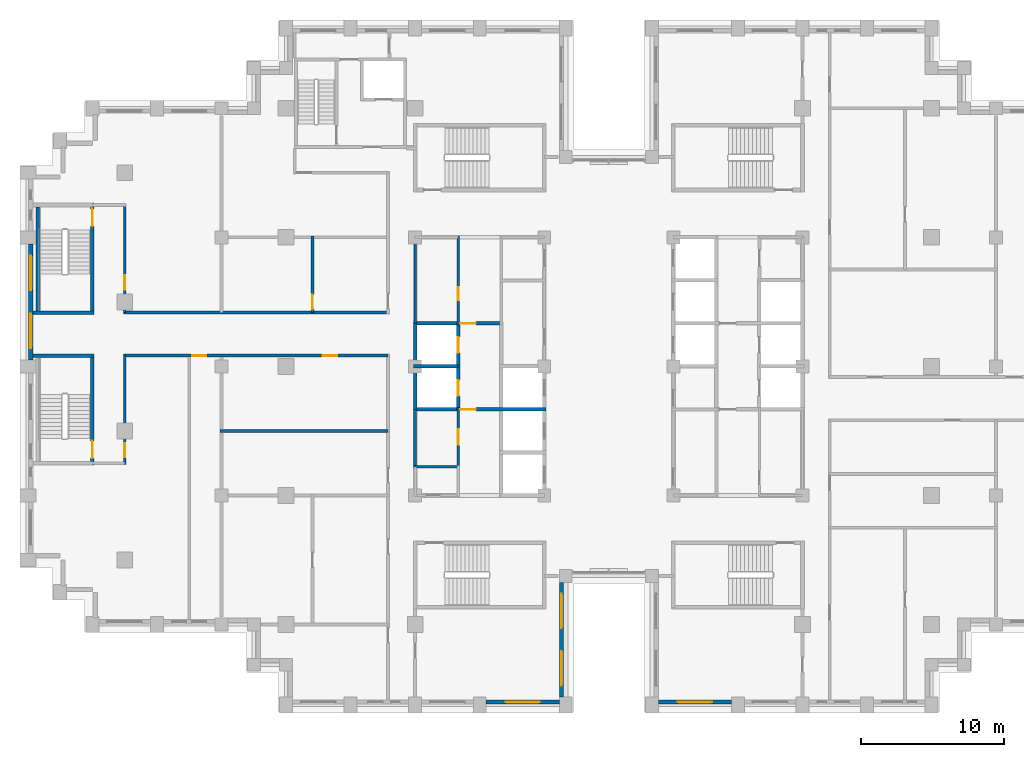
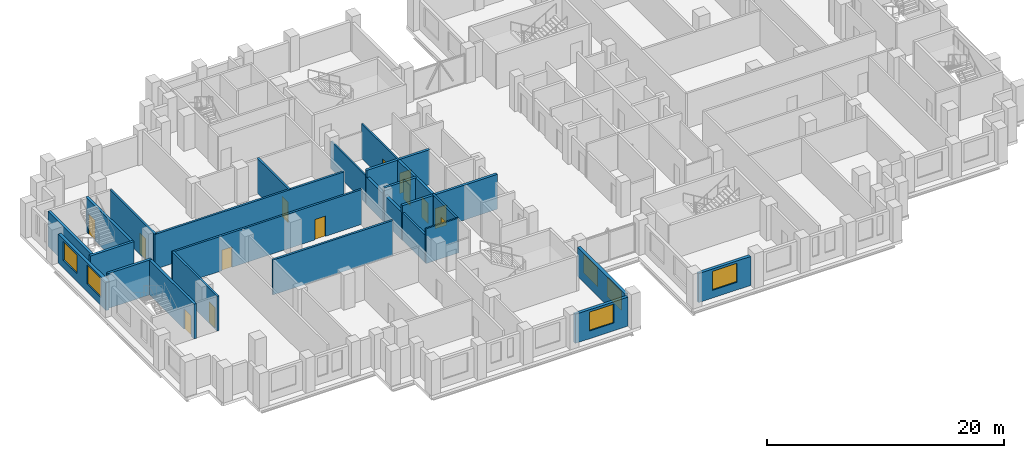
# One storey, part 7 of 16: 25 walls, 13 doors, 6 windows, 19 openings.
"""IFC4 building model written with IfcOpenShell, lengths in metres."""

from ifc_helpers import new_model, si_unit, direction, frame, frame_2d, origin, place, context, subcontext, project, spatial, rectangle, extrude, material, layer, layer_set, type_object, element, fill, save


model = new_model("IFC4")

# Units and contexts
model_context = context("Model", 3, precision=1e-05, world=origin(), true_north=direction((0.0, 1.0)))
body_context = subcontext(model_context, "Body", "Model", "MODEL_VIEW")
ifc_project = project(units=[si_unit("LENGTHUNIT", "METRE"), si_unit("AREAUNIT", "SQUARE_METRE"), si_unit("VOLUMEUNIT", "CUBIC_METRE"), si_unit("PLANEANGLEUNIT", "RADIAN"), si_unit("MASSUNIT", "GRAM", prefix="KILO")], contexts=[model_context])

# Site, building, storey
site_placement = place(None, origin())
site = spatial("IfcSite", under=ifc_project, at=site_placement, CompositionType="ELEMENT")
building_placement = place(site_placement, origin())
building = spatial("IfcBuilding", under=site, at=building_placement, Name="Corbelhall Arena Tower", CompositionType="ELEMENT")
storey_placement = place(building_placement, frame((0.0, 0.0, 174.0)))
storey = spatial("IfcBuildingStorey", under=building, at=storey_placement, Name="L35", CompositionType="ELEMENT", Elevation=174.0)

# Wall, openings, windows
ifc_material_1 = material(Name="Precast concrete C40/50 with granite facing", Category="masonry")
ifc_layer_1 = layer(ifc_material_1, 0.300048828125)
ifc_layer_set_1 = layer_set([ifc_layer_1], Name="EV-IW1 Infill panel 300")
wall_type_1 = type_object("IfcWallType", Name="EV-IW1 Infill panel 300", PredefinedType="SOLIDWALL", material=ifc_layer_set_1)
wall_1_placement = place(storey_placement, frame((-40.300048828125, 8.550048828125, 0.0), z_axis=(0.0, 0.0, 1.0), x_axis=(0.0, -1.0, 0.0)))
wall_1 = element("IfcWall", 1, at=wall_1_placement, inside=storey, type_object=wall_type_1, Name="Infill panel IW1", PredefinedType="SOLIDWALL", context=body_context, shape_type="SweptSolid", body=[
    extrude(rectangle(XDim=8.10009765625, YDim=0.300048828125, at=frame_2d((4.050048828125, 0.0))), origin(), (0.0, 0.0, 1.0), 2.989990234375),
])
opening_1_placement = place(wall_1_placement, frame((0.824951171875, 0.0, 0.800048828125)))
opening_1 = element("IfcOpeningElement", 2, at=opening_1_placement, cuts=wall_1, Name="Opening WN1", PredefinedType="OPENING", context=body_context, shape_type="SweptSolid", body=[
    extrude(rectangle(XDim=2.39990234375, YDim=1.949951171875, at=frame_2d((1.199951171875, 0.97509765625))), frame((0.0, 0.14990234375, 0.0), z_axis=(0.0, -1.0, 0.0), x_axis=(1.0, 0.0, 0.0)), (0.0, 0.0, 1.0), 0.300048828125),
])
opening_2_placement = place(wall_1_placement, frame((4.875, 0.0, 0.800048828125)))
opening_2 = element("IfcOpeningElement", 3, at=opening_2_placement, cuts=wall_1, Name="Opening WN1", PredefinedType="OPENING", context=body_context, shape_type="SweptSolid", body=[
    extrude(rectangle(XDim=2.39990234375, YDim=1.949951171875, at=frame_2d((1.199951171875, 0.97509765625))), frame((0.0, 0.14990234375, 0.0), z_axis=(0.0, -1.0, 0.0), x_axis=(1.0, 0.0, 0.0)), (0.0, 0.0, 1.0), 0.300048828125),
])
ifc_material_2 = material(Name="Aluminium black anodised", Category="aluminium")
window_type = type_object("IfcWindowType", Name="EV-WN1 Office window", PartitioningType="SINGLE_PANEL", PredefinedType="WINDOW", material=ifc_material_2)
window_1_placement = place(opening_1_placement, origin())
window_1 = element("IfcWindow", 4, at=window_1_placement, inside=storey, type_object=window_type, Name="Window WN1", OverallHeight=1.949951171875, OverallWidth=2.39990234375, PartitioningType="SINGLE_PANEL", PredefinedType="WINDOW", context=body_context, shape_type="SweptSolid", body=[
    extrude(rectangle(XDim=2.39990234375, YDim=1.949951171875, at=frame_2d((1.199951171875, 0.97509765625))), frame((0.0, 0.030029296875, 0.0), z_axis=(0.0, -1.0, 0.0), x_axis=(1.0, 0.0, 0.0)), (0.0, 0.0, 1.0), 0.06005859375),
])
fill(opening_1, window_1)
window_2_placement = place(opening_2_placement, origin())
window_2 = element("IfcWindow", 5, at=window_2_placement, inside=storey, type_object=window_type, Name="Window WN1", OverallHeight=1.949951171875, OverallWidth=2.39990234375, PartitioningType="SINGLE_PANEL", PredefinedType="WINDOW", context=body_context, shape_type="SweptSolid", body=[
    extrude(rectangle(XDim=2.39990234375, YDim=1.949951171875, at=frame_2d((1.199951171875, 0.97509765625))), frame((0.0, 0.030029296875, 0.0), z_axis=(0.0, -1.0, 0.0), x_axis=(1.0, 0.0, 0.0)), (0.0, 0.0, 1.0), 0.06005859375),
])
fill(opening_2, window_2)

# Wall, opening, window
wall_2_placement = place(storey_placement, frame((-8.550048828125, -23.39990234375, 0.0), z_axis=(0.0, 0.0, 1.0), x_axis=(1.0, 0.0, 0.0)))
wall_2 = element("IfcWall", 6, at=wall_2_placement, inside=storey, type_object=wall_type_1, Name="Infill panel IW1", PredefinedType="SOLIDWALL", context=body_context, shape_type="SweptSolid", body=[
    extrude(rectangle(XDim=5.10009765625, YDim=0.300048828125, at=frame_2d((2.550048828125, 0.0))), origin(), (0.0, 0.0, 1.0), 2.989990234375),
])
opening_3_placement = place(wall_2_placement, frame((1.35009765625, 0.0, 0.800048828125)))
opening_3 = element("IfcOpeningElement", 7, at=opening_3_placement, cuts=wall_2, Name="Opening WN1", PredefinedType="OPENING", context=body_context, shape_type="SweptSolid", body=[
    extrude(rectangle(XDim=2.39990234375, YDim=1.949951171875, at=frame_2d((1.199951171875, 0.97509765625))), frame((0.0, 0.14990234375, 0.0), z_axis=(0.0, -1.0, 0.0), x_axis=(1.0, 0.0, 0.0)), (0.0, 0.0, 1.0), 0.300048828125),
])
window_3_placement = place(opening_3_placement, origin())
window_3 = element("IfcWindow", 8, at=window_3_placement, inside=storey, type_object=window_type, Name="Window WN1", OverallHeight=1.949951171875, OverallWidth=2.39990234375, PartitioningType="SINGLE_PANEL", PredefinedType="WINDOW", context=body_context, shape_type="SweptSolid", body=[
    extrude(rectangle(XDim=2.39990234375, YDim=1.949951171875, at=frame_2d((1.199951171875, 0.97509765625))), frame((0.0, 0.030029296875, 0.0), z_axis=(0.0, -1.0, 0.0), x_axis=(1.0, 0.0, 0.0)), (0.0, 0.0, 1.0), 0.06005859375),
])
fill(opening_3, window_3)

# Wall, openings, windows
wall_3_placement = place(storey_placement, frame((-3.300048828125, -23.050048828125, 0.0), z_axis=(0.0, 0.0, 1.0), x_axis=(0.0, 1.0, 0.0)))
wall_3 = element("IfcWall", 9, at=wall_3_placement, inside=storey, type_object=wall_type_1, Name="Infill panel IW1", PredefinedType="SOLIDWALL", context=body_context, shape_type="SweptSolid", body=[
    extrude(rectangle(XDim=8.0, YDim=0.300048828125, at=frame_2d((4.0, 0.0))), origin(), (0.0, 0.0, 1.0), 2.989990234375),
])
opening_4_placement = place(wall_3_placement, frame((0.800048828125, 0.0, 0.800048828125)))
opening_4 = element("IfcOpeningElement", 10, at=opening_4_placement, cuts=wall_3, Name="Opening WN1", PredefinedType="OPENING", context=body_context, shape_type="SweptSolid", body=[
    extrude(rectangle(XDim=2.39990234375, YDim=1.949951171875, at=frame_2d((1.199951171875, 0.97509765625))), frame((0.0, 0.14990234375, 0.0), z_axis=(0.0, -1.0, 0.0), x_axis=(1.0, 0.0, 0.0)), (0.0, 0.0, 1.0), 0.300048828125),
])
opening_5_placement = place(wall_3_placement, frame((4.800048828125, 0.0, 0.800048828125)))
opening_5 = element("IfcOpeningElement", 11, at=opening_5_placement, cuts=wall_3, Name="Opening WN1", PredefinedType="OPENING", context=body_context, shape_type="SweptSolid", body=[
    extrude(rectangle(XDim=2.39990234375, YDim=1.949951171875, at=frame_2d((1.199951171875, 0.97509765625))), frame((0.0, 0.14990234375, 0.0), z_axis=(0.0, -1.0, 0.0), x_axis=(1.0, 0.0, 0.0)), (0.0, 0.0, 1.0), 0.300048828125),
])
window_4_placement = place(opening_4_placement, origin())
window_4 = element("IfcWindow", 12, at=window_4_placement, inside=storey, type_object=window_type, Name="Window WN1", OverallHeight=1.949951171875, OverallWidth=2.39990234375, PartitioningType="SINGLE_PANEL", PredefinedType="WINDOW", context=body_context, shape_type="SweptSolid", body=[
    extrude(rectangle(XDim=2.39990234375, YDim=1.949951171875, at=frame_2d((1.199951171875, 0.97509765625))), frame((0.0, 0.030029296875, 0.0), z_axis=(0.0, -1.0, 0.0), x_axis=(1.0, 0.0, 0.0)), (0.0, 0.0, 1.0), 0.06005859375),
])
fill(opening_4, window_4)
window_5_placement = place(opening_5_placement, origin())
window_5 = element("IfcWindow", 13, at=window_5_placement, inside=storey, type_object=window_type, Name="Window WN1", OverallHeight=1.949951171875, OverallWidth=2.39990234375, PartitioningType="SINGLE_PANEL", PredefinedType="WINDOW", context=body_context, shape_type="SweptSolid", body=[
    extrude(rectangle(XDim=2.39990234375, YDim=1.949951171875, at=frame_2d((1.199951171875, 0.97509765625))), frame((0.0, 0.030029296875, 0.0), z_axis=(0.0, -1.0, 0.0), x_axis=(1.0, 0.0, 0.0)), (0.0, 0.0, 1.0), 0.06005859375),
])
fill(opening_5, window_5)

# Wall, opening, window
wall_4_placement = place(storey_placement, frame((3.449951171875, -23.39990234375, 0.0), z_axis=(0.0, 0.0, 1.0), x_axis=(1.0, 0.0, 0.0)))
wall_4 = element("IfcWall", 14, at=wall_4_placement, inside=storey, type_object=wall_type_1, Name="Infill panel IW1", PredefinedType="SOLIDWALL", context=body_context, shape_type="SweptSolid", body=[
    extrude(rectangle(XDim=5.10009765625, YDim=0.300048828125, at=frame_2d((2.550048828125, 0.0))), origin(), (0.0, 0.0, 1.0), 2.989990234375),
])
opening_6_placement = place(wall_4_placement, frame((1.35009765625, 0.0, 0.800048828125)))
opening_6 = element("IfcOpeningElement", 15, at=opening_6_placement, cuts=wall_4, Name="Opening WN1", PredefinedType="OPENING", context=body_context, shape_type="SweptSolid", body=[
    extrude(rectangle(XDim=2.39990234375, YDim=1.949951171875, at=frame_2d((1.199951171875, 0.97509765625))), frame((0.0, 0.14990234375, 0.0), z_axis=(0.0, -1.0, 0.0), x_axis=(1.0, 0.0, 0.0)), (0.0, 0.0, 1.0), 0.300048828125),
])
window_6_placement = place(opening_6_placement, origin())
window_6 = element("IfcWindow", 16, at=window_6_placement, inside=storey, type_object=window_type, Name="Window WN1", OverallHeight=1.949951171875, OverallWidth=2.39990234375, PartitioningType="SINGLE_PANEL", PredefinedType="WINDOW", context=body_context, shape_type="SweptSolid", body=[
    extrude(rectangle(XDim=2.39990234375, YDim=1.949951171875, at=frame_2d((1.199951171875, 0.97509765625))), frame((0.0, 0.030029296875, 0.0), z_axis=(0.0, -1.0, 0.0), x_axis=(1.0, 0.0, 0.0)), (0.0, 0.0, 1.0), 0.06005859375),
])
fill(opening_6, window_6)

# Wall
ifc_material_3 = material(Name="Gypsum board on steel stud, acoustic", Category="steel")
ifc_layer_2 = layer(ifc_material_3, 0.199951171875)
ifc_layer_set_2 = layer_set([ifc_layer_2], Name="IN-W-DM200")
wall_type_2 = type_object("IfcWallType", Name="IN-W-DM200", PredefinedType="PARTITIONING", material=ifc_layer_set_2)
wall_5_placement = place(storey_placement, frame((-33.85009765625, 3.75, 0.0), z_axis=(0.0, 0.0, 1.0), x_axis=(1.0, 0.0, 0.0)))
element("IfcWall", 17, at=wall_5_placement, inside=storey, type_object=wall_type_2, Name="Partition 002", PredefinedType="PARTITIONING", context=body_context, shape_type="SweptSolid", body=[
    extrude(rectangle(XDim=18.4501953125, YDim=0.199951171875, at=frame_2d((9.22509765625, 0.0))), origin(), (0.0, 0.0, 1.0), 3.590087890625),
])

# Wall, opening, door
wall_6_placement = place(storey_placement, frame((-33.75, 0.75, 0.0), z_axis=(0.0, 0.0, 1.0), x_axis=(0.0, -1.0, 0.0)))
wall_6 = element("IfcWall", 18, at=wall_6_placement, inside=storey, type_object=wall_type_2, Name="Partition 004", PredefinedType="PARTITIONING", context=body_context, shape_type="SweptSolid", body=[
    extrude(rectangle(XDim=7.60009765625, YDim=0.199951171875, at=frame_2d((3.800048828125, 0.0))), origin(), (0.0, 0.0, 1.0), 3.590087890625),
])
opening_7_placement = place(wall_6_placement, frame((6.10009765625, 0.0, 0.0)))
opening_7 = element("IfcOpeningElement", 19, at=opening_7_placement, cuts=wall_6, Name="Opening 10043", PredefinedType="OPENING", context=body_context, shape_type="SweptSolid", body=[
    extrude(rectangle(XDim=1.0, YDim=2.10009765625, at=frame_2d((0.5, 1.050048828125))), frame((0.0, 0.10009765625, 0.0), z_axis=(0.0, -1.0, 0.0), x_axis=(1.0, 0.0, 0.0)), (0.0, 0.0, 1.0), 0.199951171875),
])
ifc_material_4 = material(Name="Steel door set", Category="steel")
door_type_1 = type_object("IfcDoorType", Name="IN-D-SW100", OperationType="NOTDEFINED", PredefinedType="DOOR", material=ifc_material_4)
door_1_placement = place(opening_7_placement, origin())
door_1 = element("IfcDoor", 20, at=door_1_placement, inside=storey, type_object=door_type_1, Name="Door 043", OperationType="SINGLE_SWING_RIGHT", OverallHeight=2.10009765625, OverallWidth=1.0, PredefinedType="DOOR", context=body_context, shape_type="SweptSolid", body=[
    extrude(rectangle(XDim=1.0, YDim=2.10009765625, at=frame_2d((0.5, 1.050048828125))), frame((0.0, 0.02490234375, 0.0), z_axis=(0.0, -1.0, 0.0), x_axis=(1.0, 0.0, 0.0)), (0.0, 0.0, 1.0), 0.050048828125),
])
fill(opening_7, door_1)

wall_7_placement = place(storey_placement, frame((-33.75, 11.25, 0.0), z_axis=(0.0, 0.0, 1.0), x_axis=(0.0, -1.0, 0.0)))
wall_7 = element("IfcWall", 21, at=wall_7_placement, inside=storey, type_object=wall_type_2, Name="Partition 005", PredefinedType="PARTITIONING", context=body_context, shape_type="SweptSolid", body=[
    extrude(rectangle(XDim=7.5, YDim=0.199951171875, at=frame_2d((3.75, 0.0))), origin(), (0.0, 0.0, 1.0), 3.590087890625),
])
opening_8_placement = place(wall_7_placement, frame((4.89990234375, 0.0, 0.0)))
opening_8 = element("IfcOpeningElement", 22, at=opening_8_placement, cuts=wall_7, Name="Opening 10042", PredefinedType="OPENING", context=body_context, shape_type="SweptSolid", body=[
    extrude(rectangle(XDim=1.0, YDim=2.10009765625, at=frame_2d((0.5, 1.050048828125))), frame((0.0, 0.10009765625, 0.0), z_axis=(0.0, -1.0, 0.0), x_axis=(1.0, 0.0, 0.0)), (0.0, 0.0, 1.0), 0.199951171875),
])
door_2_placement = place(opening_8_placement, origin())
door_2 = element("IfcDoor", 23, at=door_2_placement, inside=storey, type_object=door_type_1, Name="Door 042", OperationType="SINGLE_SWING_LEFT", OverallHeight=2.10009765625, OverallWidth=1.0, PredefinedType="DOOR", context=body_context, shape_type="SweptSolid", body=[
    extrude(rectangle(XDim=1.0, YDim=2.10009765625, at=frame_2d((0.5, 1.050048828125))), frame((0.0, 0.02490234375, 0.0), z_axis=(0.0, -1.0, 0.0), x_axis=(1.0, 0.0, 0.0)), (0.0, 0.0, 1.0), 0.050048828125),
])
fill(opening_8, door_2)

# Wall, openings, doors
wall_8_placement = place(storey_placement, frame((-15.39990234375, 0.75, 0.0), z_axis=(0.0, 0.0, 1.0), x_axis=(-1.0, 0.0, 0.0)))
wall_8 = element("IfcWall", 24, at=wall_8_placement, inside=storey, type_object=wall_type_2, Name="Partition 007", PredefinedType="PARTITIONING", context=body_context, shape_type="SweptSolid", body=[
    extrude(rectangle(XDim=18.4501953125, YDim=0.199951171875, at=frame_2d((9.22509765625, 0.0))), origin(), (0.0, 0.0, 1.0), 3.590087890625),
])
opening_9_placement = place(wall_8_placement, frame((3.550048828125, 0.0, 0.0)))
opening_9 = element("IfcOpeningElement", 25, at=opening_9_placement, cuts=wall_8, Name="Opening 10033", PredefinedType="OPENING", context=body_context, shape_type="SweptSolid", body=[
    extrude(rectangle(XDim=1.0, YDim=2.10009765625, at=frame_2d((0.5, 1.050048828125))), frame((0.0, 0.10009765625, 0.0), z_axis=(0.0, -1.0, 0.0), x_axis=(1.0, 0.0, 0.0)), (0.0, 0.0, 1.0), 0.199951171875),
])
opening_10_placement = place(wall_8_placement, frame((12.64990234375, 0.0, 0.0)))
opening_10 = element("IfcOpeningElement", 26, at=opening_10_placement, cuts=wall_8, Name="Opening 10044", PredefinedType="OPENING", context=body_context, shape_type="SweptSolid", body=[
    extrude(rectangle(XDim=1.0, YDim=2.10009765625, at=frame_2d((0.5, 1.050048828125))), frame((0.0, 0.10009765625, 0.0), z_axis=(0.0, -1.0, 0.0), x_axis=(1.0, 0.0, 0.0)), (0.0, 0.0, 1.0), 0.199951171875),
])
door_3_placement = place(opening_9_placement, origin())
door_3 = element("IfcDoor", 27, at=door_3_placement, inside=storey, type_object=door_type_1, Name="Door 033", OperationType="SINGLE_SWING_RIGHT", OverallHeight=2.10009765625, OverallWidth=1.0, PredefinedType="DOOR", context=body_context, shape_type="SweptSolid", body=[
    extrude(rectangle(XDim=1.0, YDim=2.10009765625, at=frame_2d((0.5, 1.050048828125))), frame((0.0, 0.02490234375, 0.0), z_axis=(0.0, -1.0, 0.0), x_axis=(1.0, 0.0, 0.0)), (0.0, 0.0, 1.0), 0.050048828125),
])
fill(opening_9, door_3)
door_4_placement = place(opening_10_placement, origin())
door_4 = element("IfcDoor", 28, at=door_4_placement, inside=storey, type_object=door_type_1, Name="Door 044", OperationType="SINGLE_SWING_LEFT", OverallHeight=2.10009765625, OverallWidth=1.0, PredefinedType="DOOR", context=body_context, shape_type="SweptSolid", body=[
    extrude(rectangle(XDim=1.0, YDim=2.10009765625, at=frame_2d((0.5, 1.050048828125))), frame((0.0, 0.02490234375, 0.0), z_axis=(0.0, -1.0, 0.0), x_axis=(1.0, 0.0, 0.0)), (0.0, 0.0, 1.0), 0.050048828125),
])
fill(opening_10, door_4)

# Wall
wall_9_placement = place(storey_placement, frame((-27.10009765625, -4.5, 0.0), z_axis=(0.0, 0.0, 1.0), x_axis=(1.0, 0.0, 0.0)))
element("IfcWall", 29, at=wall_9_placement, inside=storey, type_object=wall_type_2, Name="Partition 009", PredefinedType="PARTITIONING", context=body_context, shape_type="SweptSolid", body=[
    extrude(rectangle(XDim=11.7001953125, YDim=0.199951171875, at=frame_2d((5.85009765625, 0.0))), origin(), (0.0, 0.0, 1.0), 3.590087890625),
])

# Wall, opening, door
wall_10_placement = place(storey_placement, frame((-20.64990234375, 3.75, 0.0), z_axis=(0.0, 0.0, 1.0), x_axis=(0.0, 1.0, 0.0)))
wall_10 = element("IfcWall", 30, at=wall_10_placement, inside=storey, type_object=wall_type_2, Name="Partition 017", PredefinedType="PARTITIONING", context=body_context, shape_type="SweptSolid", body=[
    extrude(rectangle(XDim=5.35009765625, YDim=0.199951171875, at=frame_2d((2.675048828125, 0.0))), origin(), (0.0, 0.0, 1.0), 3.590087890625),
])
opening_11_placement = place(wall_10_placement, frame((0.25, 0.0, 0.0)))
opening_11 = element("IfcOpeningElement", 31, at=opening_11_placement, cuts=wall_10, Name="Opening 10027", PredefinedType="OPENING", context=body_context, shape_type="SweptSolid", body=[
    extrude(rectangle(XDim=1.0, YDim=2.10009765625, at=frame_2d((0.5, 1.050048828125))), frame((0.0, 0.10009765625, 0.0), z_axis=(0.0, -1.0, 0.0), x_axis=(1.0, 0.0, 0.0)), (0.0, 0.0, 1.0), 0.199951171875),
])
door_5_placement = place(opening_11_placement, origin())
door_5 = element("IfcDoor", 32, at=door_5_placement, inside=storey, type_object=door_type_1, Name="Door 027", OperationType="SINGLE_SWING_RIGHT", OverallHeight=2.10009765625, OverallWidth=1.0, PredefinedType="DOOR", context=body_context, shape_type="SweptSolid", body=[
    extrude(rectangle(XDim=1.0, YDim=2.10009765625, at=frame_2d((0.5, 1.050048828125))), frame((0.0, 0.02490234375, 0.0), z_axis=(0.0, -1.0, 0.0), x_axis=(1.0, 0.0, 0.0)), (0.0, 0.0, 1.0), 0.050048828125),
])
fill(opening_11, door_5)

ifc_material_5 = material(Name="Concrete block wall", Category="concrete")
ifc_layer_3 = layer(ifc_material_5, 0.199951171875)
ifc_layer_set_3 = layer_set([ifc_layer_3], Name="IN-W-RS200")
wall_type_3 = type_object("IfcWallType", Name="IN-W-RS200", PredefinedType="SOLIDWALL", material=ifc_layer_set_3)
wall_11_placement = place(storey_placement, frame((-10.5, -7.074951171875, 0.0), z_axis=(0.0, 0.0, 1.0), x_axis=(0.0, 1.0, 0.0)))
wall_11 = element("IfcWall", 33, at=wall_11_placement, inside=storey, type_object=wall_type_3, Name="Partition 049", PredefinedType="SOLIDWALL", context=body_context, shape_type="SweptSolid", body=[
    extrude(rectangle(XDim=4.199951171875, YDim=0.199951171875, at=frame_2d((2.10009765625, 0.0))), origin(), (0.0, 0.0, 1.0), 3.590087890625),
])
opening_12_placement = place(wall_11_placement, frame((1.60009765625, 0.0, 0.0)))
opening_12 = element("IfcOpeningElement", 34, at=opening_12_placement, cuts=wall_11, Name="Opening 10006", PredefinedType="OPENING", context=body_context, shape_type="SweptSolid", body=[
    extrude(rectangle(XDim=1.10009765625, YDim=2.10009765625, at=frame_2d((0.550048828125, 1.050048828125))), frame((0.0, 0.10009765625, 0.0), z_axis=(0.0, -1.0, 0.0), x_axis=(1.0, 0.0, 0.0)), (0.0, 0.0, 1.0), 0.199951171875),
])
door_type_2 = type_object("IfcDoorType", Name="IN-D-FD110", OperationType="NOTDEFINED", PredefinedType="DOOR", material=ifc_material_4)
door_6_placement = place(opening_12_placement, origin())
door_6 = element("IfcDoor", 35, at=door_6_placement, inside=storey, type_object=door_type_2, Name="Door 006", OperationType="SINGLE_SWING_LEFT", OverallHeight=2.10009765625, OverallWidth=1.10009765625, PredefinedType="DOOR", context=body_context, shape_type="SweptSolid", body=[
    extrude(rectangle(XDim=1.10009765625, YDim=2.10009765625, at=frame_2d((0.550048828125, 1.050048828125))), frame((0.0, 0.02490234375, 0.0), z_axis=(0.0, -1.0, 0.0), x_axis=(1.0, 0.0, 0.0)), (0.0, 0.0, 1.0), 0.050048828125),
])
fill(opening_12, door_6)

# Walls
ifc_layer_4 = layer(ifc_material_5, 0.199951171875)
ifc_layer_set_4 = layer_set([ifc_layer_4], Name="IN-W-RS200 under beam 762 mm")
wall_type_4 = type_object("IfcWallType", Name="IN-W-RS200 under beam 762 mm", PredefinedType="SOLIDWALL", material=ifc_layer_set_4)
wall_12_placement = place(storey_placement, frame((-13.5, -7.0, 0.0), z_axis=(0.0, 0.0, 1.0), x_axis=(0.0, 1.0, 0.0)))
element("IfcWall", 36, at=wall_12_placement, inside=storey, type_object=wall_type_4, Name="Partition 048", PredefinedType="SOLIDWALL", context=body_context, shape_type="SweptSolid", body=[
    extrude(rectangle(XDim=4.0, YDim=0.199951171875, at=frame_2d((2.0, 0.0))), origin(), (0.0, 0.0, 1.0), 2.827880859375),
])
ifc_material_6 = material(Name="Concrete C40/50", Category="concrete")
ifc_layer_5 = layer(ifc_material_6, 0.25)
ifc_layer_set_5 = layer_set([ifc_layer_5], Name="IN-W-SH250")
wall_type_5 = type_object("IfcWallType", Name="IN-W-SH250", PredefinedType="SOLIDWALL", material=ifc_layer_set_5)
wall_13_placement = place(storey_placement, frame((-13.625, 0.0, 0.0), z_axis=(0.0, 0.0, 1.0), x_axis=(1.0, 0.0, 0.0)))
element("IfcWall", 37, at=wall_13_placement, inside=storey, type_object=wall_type_5, Name="Shaft wall 061", PredefinedType="SOLIDWALL", context=body_context, shape_type="SweptSolid", body=[
    extrude(rectangle(XDim=3.125, YDim=0.25, at=frame_2d((1.5625, 0.0))), origin(), (0.0, 0.0, 1.0), 3.590087890625),
])

# Wall, opening, door
wall_14_placement = place(storey_placement, frame((-13.625, 3.0, 0.0), z_axis=(0.0, 0.0, 1.0), x_axis=(1.0, 0.0, 0.0)))
wall_14 = element("IfcWall", 38, at=wall_14_placement, inside=storey, type_object=wall_type_5, Name="Shaft wall 062", PredefinedType="SOLIDWALL", context=body_context, shape_type="SweptSolid", body=[
    extrude(rectangle(XDim=6.125, YDim=0.25, at=frame_2d((3.0625, 0.0))), origin(), (0.0, 0.0, 1.0), 3.590087890625),
])
opening_13_placement = place(wall_14_placement, frame((3.25, 0.0, 0.0)))
opening_13 = element("IfcOpeningElement", 39, at=opening_13_placement, cuts=wall_14, Name="Opening 10004", PredefinedType="OPENING", context=body_context, shape_type="SweptSolid", body=[
    extrude(rectangle(XDim=1.10009765625, YDim=2.10009765625, at=frame_2d((0.550048828125, 1.050048828125))), frame((0.0, 0.125, 0.0), z_axis=(0.0, -1.0, 0.0), x_axis=(1.0, 0.0, 0.0)), (0.0, 0.0, 1.0), 0.25),
])
door_7_placement = place(opening_13_placement, origin())
door_7 = element("IfcDoor", 40, at=door_7_placement, inside=storey, type_object=door_type_2, Name="Door 004", OperationType="SINGLE_SWING_LEFT", OverallHeight=2.10009765625, OverallWidth=1.10009765625, PredefinedType="DOOR", context=body_context, shape_type="SweptSolid", body=[
    extrude(rectangle(XDim=1.10009765625, YDim=2.10009765625, at=frame_2d((0.550048828125, 1.050048828125))), frame((0.0, 0.02490234375, 0.0), z_axis=(0.0, -1.0, 0.0), x_axis=(1.0, 0.0, 0.0)), (0.0, 0.0, 1.0), 0.050048828125),
])
fill(opening_13, door_7)

wall_15_placement = place(storey_placement, frame((-13.625, -3.0, 0.0), z_axis=(0.0, 0.0, 1.0), x_axis=(1.0, 0.0, 0.0)))
wall_15 = element("IfcWall", 41, at=wall_15_placement, inside=storey, type_object=wall_type_5, Name="Shaft wall 064", PredefinedType="SOLIDWALL", context=body_context, shape_type="SweptSolid", body=[
    extrude(rectangle(XDim=9.25, YDim=0.25, at=frame_2d((4.625, 0.0))), origin(), (0.0, 0.0, 1.0), 3.590087890625),
])
opening_14_placement = place(wall_15_placement, frame((3.25, 0.0, 0.0)))
opening_14 = element("IfcOpeningElement", 42, at=opening_14_placement, cuts=wall_15, Name="Opening 10003", PredefinedType="OPENING", context=body_context, shape_type="SweptSolid", body=[
    extrude(rectangle(XDim=1.10009765625, YDim=2.10009765625, at=frame_2d((0.550048828125, 1.050048828125))), frame((0.0, 0.125, 0.0), z_axis=(0.0, -1.0, 0.0), x_axis=(1.0, 0.0, 0.0)), (0.0, 0.0, 1.0), 0.25),
])
door_8_placement = place(opening_14_placement, origin())
door_8 = element("IfcDoor", 43, at=door_8_placement, inside=storey, type_object=door_type_2, Name="Door 003", OperationType="SINGLE_SWING_RIGHT", OverallHeight=2.10009765625, OverallWidth=1.10009765625, PredefinedType="DOOR", context=body_context, shape_type="SweptSolid", body=[
    extrude(rectangle(XDim=1.10009765625, YDim=2.10009765625, at=frame_2d((0.550048828125, 1.050048828125))), frame((0.0, 0.02490234375, 0.0), z_axis=(0.0, -1.0, 0.0), x_axis=(1.0, 0.0, 0.0)), (0.0, 0.0, 1.0), 0.050048828125),
])
fill(opening_14, door_8)

# Wall, openings, doors
wall_16_placement = place(storey_placement, frame((-10.5, -3.125, 0.0), z_axis=(0.0, 0.0, 1.0), x_axis=(0.0, 1.0, 0.0)))
wall_16 = element("IfcWall", 44, at=wall_16_placement, inside=storey, type_object=wall_type_5, Name="Shaft wall 065", PredefinedType="SOLIDWALL", context=body_context, shape_type="SweptSolid", body=[
    extrude(rectangle(XDim=6.25, YDim=0.25, at=frame_2d((3.125, 0.0))), origin(), (0.0, 0.0, 1.0), 3.590087890625),
])
opening_15_placement = place(wall_16_placement, frame((1.074951171875, 0.0, 0.0)))
opening_15 = element("IfcOpeningElement", 45, at=opening_15_placement, cuts=wall_16, Name="Opening LD", PredefinedType="OPENING", context=body_context, shape_type="SweptSolid", body=[
    extrude(rectangle(XDim=1.10009765625, YDim=2.10009765625, at=frame_2d((0.550048828125, 1.050048828125))), frame((0.0, 0.125, 0.0), z_axis=(0.0, -1.0, 0.0), x_axis=(1.0, 0.0, 0.0)), (0.0, 0.0, 1.0), 0.25),
])
opening_16_placement = place(wall_16_placement, frame((4.074951171875, 0.0, 0.0)))
opening_16 = element("IfcOpeningElement", 46, at=opening_16_placement, cuts=wall_16, Name="Opening LD", PredefinedType="OPENING", context=body_context, shape_type="SweptSolid", body=[
    extrude(rectangle(XDim=1.10009765625, YDim=2.10009765625, at=frame_2d((0.550048828125, 1.050048828125))), frame((0.0, 0.125, 0.0), z_axis=(0.0, -1.0, 0.0), x_axis=(1.0, 0.0, 0.0)), (0.0, 0.0, 1.0), 0.25),
])
door_type_3 = type_object("IfcDoorType", Name="IN-D-LD110", OperationType="NOTDEFINED", PredefinedType="DOOR", material=ifc_material_4)
door_9_placement = place(opening_15_placement, origin())
door_9 = element("IfcDoor", 47, at=door_9_placement, inside=storey, type_object=door_type_3, Name="Landing door W3", OperationType="SLIDING_TO_LEFT", OverallHeight=2.10009765625, OverallWidth=1.10009765625, PredefinedType="DOOR", context=body_context, shape_type="SweptSolid", body=[
    extrude(rectangle(XDim=1.10009765625, YDim=2.10009765625, at=frame_2d((0.550048828125, 1.050048828125))), frame((0.0, 0.02490234375, 0.0), z_axis=(0.0, -1.0, 0.0), x_axis=(1.0, 0.0, 0.0)), (0.0, 0.0, 1.0), 0.050048828125),
])
fill(opening_15, door_9)
door_10_placement = place(opening_16_placement, origin())
door_10 = element("IfcDoor", 48, at=door_10_placement, inside=storey, type_object=door_type_3, Name="Landing door W4", OperationType="SLIDING_TO_LEFT", OverallHeight=2.10009765625, OverallWidth=1.10009765625, PredefinedType="DOOR", context=body_context, shape_type="SweptSolid", body=[
    extrude(rectangle(XDim=1.10009765625, YDim=2.10009765625, at=frame_2d((0.550048828125, 1.050048828125))), frame((0.0, 0.02490234375, 0.0), z_axis=(0.0, -1.0, 0.0), x_axis=(1.0, 0.0, 0.0)), (0.0, 0.0, 1.0), 0.050048828125),
])
fill(opening_16, door_10)

# Walls
ifc_layer_6 = layer(ifc_material_6, 0.25)
ifc_layer_set_6 = layer_set([ifc_layer_6], Name="IN-W-SH250 under beam 762 mm")
wall_type_6 = type_object("IfcWallType", Name="IN-W-SH250 under beam 762 mm", PredefinedType="SOLIDWALL", material=ifc_layer_set_6)
wall_17_placement = place(storey_placement, frame((-13.5, -3.0, 0.0), z_axis=(0.0, 0.0, 1.0), x_axis=(0.0, 1.0, 0.0)))
element("IfcWall", 49, at=wall_17_placement, inside=storey, type_object=wall_type_6, Name="Shaft wall 063", PredefinedType="SOLIDWALL", context=body_context, shape_type="SweptSolid", body=[
    extrude(rectangle(XDim=6.0, YDim=0.25, at=frame_2d((3.0, 0.0))), origin(), (0.0, 0.0, 1.0), 2.827880859375),
])
ifc_layer_7 = layer(ifc_material_6, 0.25)
ifc_layer_set_7 = layer_set([ifc_layer_7], Name="IN-W-ST250")
wall_type_7 = type_object("IfcWallType", Name="IN-W-ST250", PredefinedType="SOLIDWALL", material=ifc_layer_set_7)
wall_18_placement = place(storey_placement, frame((-40.14990234375, 3.75, 0.0), z_axis=(0.0, 0.0, 1.0), x_axis=(1.0, 0.0, 0.0)))
element("IfcWall", 50, at=wall_18_placement, inside=storey, type_object=wall_type_7, Name="Shaft wall 082", PredefinedType="SOLIDWALL", context=body_context, shape_type="SweptSolid", body=[
    extrude(rectangle(XDim=4.27490234375, YDim=0.25, at=frame_2d((2.137451171875, 0.0))), origin(), (0.0, 0.0, 1.0), 3.590087890625),
])

# Wall, opening, door
wall_19_placement = place(storey_placement, frame((-36.0, 0.75, 0.0), z_axis=(0.0, 0.0, 1.0), x_axis=(0.0, -1.0, 0.0)))
wall_19 = element("IfcWall", 51, at=wall_19_placement, inside=storey, type_object=wall_type_7, Name="Shaft wall 085", PredefinedType="SOLIDWALL", context=body_context, shape_type="SweptSolid", body=[
    extrude(rectangle(XDim=7.625, YDim=0.25, at=frame_2d((3.8125, 0.0))), origin(), (0.0, 0.0, 1.0), 3.590087890625),
])
opening_17_placement = place(wall_19_placement, frame((5.949951171875, 0.0, 0.0)))
opening_17 = element("IfcOpeningElement", 52, at=opening_17_placement, cuts=wall_19, Name="Opening 10019", PredefinedType="OPENING", context=body_context, shape_type="SweptSolid", body=[
    extrude(rectangle(XDim=1.199951171875, YDim=2.10009765625, at=frame_2d((0.60009765625, 1.050048828125))), frame((0.0, 0.125, 0.0), z_axis=(0.0, -1.0, 0.0), x_axis=(1.0, 0.0, 0.0)), (0.0, 0.0, 1.0), 0.25),
])
door_type_4 = type_object("IfcDoorType", Name="IN-D-ST120", OperationType="NOTDEFINED", PredefinedType="DOOR", material=ifc_material_4)
door_11_placement = place(opening_17_placement, origin())
door_11 = element("IfcDoor", 53, at=door_11_placement, inside=storey, type_object=door_type_4, Name="Door 019", OperationType="SINGLE_SWING_RIGHT", OverallHeight=2.10009765625, OverallWidth=1.199951171875, PredefinedType="DOOR", context=body_context, shape_type="SweptSolid", body=[
    extrude(rectangle(XDim=1.199951171875, YDim=2.10009765625, at=frame_2d((0.60009765625, 1.050048828125))), frame((0.0, 0.02490234375, 0.0), z_axis=(0.0, -1.0, 0.0), x_axis=(1.0, 0.0, 0.0)), (0.0, 0.0, 1.0), 0.050048828125),
])
fill(opening_17, door_11)

wall_20_placement = place(storey_placement, frame((-36.0, 11.375, 0.0), z_axis=(0.0, 0.0, 1.0), x_axis=(0.0, -1.0, 0.0)))
wall_20 = element("IfcWall", 54, at=wall_20_placement, inside=storey, type_object=wall_type_7, Name="Shaft wall 086", PredefinedType="SOLIDWALL", context=body_context, shape_type="SweptSolid", body=[
    extrude(rectangle(XDim=7.625, YDim=0.25, at=frame_2d((3.8125, 0.0))), origin(), (0.0, 0.0, 1.0), 3.590087890625),
])
opening_18_placement = place(wall_20_placement, frame((0.39990234375, 0.0, 0.0)))
opening_18 = element("IfcOpeningElement", 55, at=opening_18_placement, cuts=wall_20, Name="Opening 10018", PredefinedType="OPENING", context=body_context, shape_type="SweptSolid", body=[
    extrude(rectangle(XDim=1.199951171875, YDim=2.10009765625, at=frame_2d((0.60009765625, 1.050048828125))), frame((0.0, 0.125, 0.0), z_axis=(0.0, -1.0, 0.0), x_axis=(1.0, 0.0, 0.0)), (0.0, 0.0, 1.0), 0.25),
])
door_12_placement = place(opening_18_placement, origin())
door_12 = element("IfcDoor", 56, at=door_12_placement, inside=storey, type_object=door_type_4, Name="Door 018", OperationType="SINGLE_SWING_LEFT", OverallHeight=2.10009765625, OverallWidth=1.199951171875, PredefinedType="DOOR", context=body_context, shape_type="SweptSolid", body=[
    extrude(rectangle(XDim=1.199951171875, YDim=2.10009765625, at=frame_2d((0.60009765625, 1.050048828125))), frame((0.0, 0.02490234375, 0.0), z_axis=(0.0, -1.0, 0.0), x_axis=(1.0, 0.0, 0.0)), (0.0, 0.0, 1.0), 0.050048828125),
])
fill(opening_18, door_12)

# Walls
wall_21_placement = place(storey_placement, frame((-35.875, 0.75, 0.0), z_axis=(0.0, 0.0, 1.0), x_axis=(-1.0, 0.0, 0.0)))
element("IfcWall", 57, at=wall_21_placement, inside=storey, type_object=wall_type_7, Name="Shaft wall 087", PredefinedType="SOLIDWALL", context=body_context, shape_type="SweptSolid", body=[
    extrude(rectangle(XDim=4.27490234375, YDim=0.25, at=frame_2d((2.137451171875, 0.0))), origin(), (0.0, 0.0, 1.0), 3.590087890625),
])
wall_22_placement = place(storey_placement, frame((-39.824951171875, 3.875, 0.0), z_axis=(0.0, 0.0, 1.0), x_axis=(0.0, 1.0, 0.0)))
element("IfcWall", 58, at=wall_22_placement, inside=storey, type_object=wall_type_7, Name="Shaft wall SC1 facade side", PredefinedType="SOLIDWALL", context=body_context, shape_type="SweptSolid", body=[
    extrude(rectangle(XDim=7.25, YDim=0.25, at=frame_2d((3.625, 0.0))), origin(), (0.0, 0.0, 1.0), 3.590087890625),
])
ifc_material_7 = material(Name="Gypsum board on steel stud, moisture resistant", Category="steel")
ifc_layer_8 = layer(ifc_material_7, 0.14990234375)
ifc_layer_set_8 = layer_set([ifc_layer_8], Name="IN-W-WC150")
wall_type_8 = type_object("IfcWallType", Name="IN-W-WC150", PredefinedType="PARTITIONING", material=ifc_layer_set_8)
wall_23_placement = place(storey_placement, frame((-13.60009765625, -7.0, 0.0), z_axis=(0.0, 0.0, 1.0), x_axis=(1.0, 0.0, 0.0)))
element("IfcWall", 59, at=wall_23_placement, inside=storey, type_object=wall_type_8, Name="Partition 110", PredefinedType="PARTITIONING", context=body_context, shape_type="SweptSolid", body=[
    extrude(rectangle(XDim=3.10009765625, YDim=0.14990234375, at=frame_2d((1.550048828125, 0.0))), origin(), (0.0, 0.0, 1.0), 3.590087890625),
])

# Wall, opening, door
wall_24_placement = place(storey_placement, frame((-10.5, 2.875, 0.0), z_axis=(0.0, 0.0, 1.0), x_axis=(0.0, 1.0, 0.0)))
wall_24 = element("IfcWall", 60, at=wall_24_placement, inside=storey, type_object=wall_type_8, Name="Partition 116", PredefinedType="PARTITIONING", context=body_context, shape_type="SweptSolid", body=[
    extrude(rectangle(XDim=6.199951171875, YDim=0.14990234375, at=frame_2d((3.10009765625, 0.0))), origin(), (0.0, 0.0, 1.0), 3.590087890625),
])
opening_19_placement = place(wall_24_placement, frame((1.75, 0.0, 0.0)))
opening_19 = element("IfcOpeningElement", 61, at=opening_19_placement, cuts=wall_24, Name="Opening 10007", PredefinedType="OPENING", context=body_context, shape_type="SweptSolid", body=[
    extrude(rectangle(XDim=0.89990234375, YDim=2.10009765625, at=frame_2d((0.449951171875, 1.050048828125))), frame((0.0, 0.074951171875, 0.0), z_axis=(0.0, -1.0, 0.0), x_axis=(1.0, 0.0, 0.0)), (0.0, 0.0, 1.0), 0.14990234375),
])
ifc_material_8 = material(Name="Timber door set", Category="wood")
door_type_5 = type_object("IfcDoorType", Name="IN-D-SW90", OperationType="NOTDEFINED", PredefinedType="DOOR", material=ifc_material_8)
door_13_placement = place(opening_19_placement, origin())
door_13 = element("IfcDoor", 62, at=door_13_placement, inside=storey, type_object=door_type_5, Name="Door 007", OperationType="SINGLE_SWING_RIGHT", OverallHeight=2.10009765625, OverallWidth=0.89990234375, PredefinedType="DOOR", context=body_context, shape_type="SweptSolid", body=[
    extrude(rectangle(XDim=0.89990234375, YDim=2.10009765625, at=frame_2d((0.449951171875, 1.050048828125))), frame((0.0, 0.02490234375, 0.0), z_axis=(0.0, -1.0, 0.0), x_axis=(1.0, 0.0, 0.0)), (0.0, 0.0, 1.0), 0.050048828125),
])
fill(opening_19, door_13)

# Wall
ifc_layer_9 = layer(ifc_material_7, 0.14990234375)
ifc_layer_set_9 = layer_set([ifc_layer_9], Name="IN-W-WC150 under beam 762 mm")
wall_type_9 = type_object("IfcWallType", Name="IN-W-WC150 under beam 762 mm", PredefinedType="PARTITIONING", material=ifc_layer_set_9)
wall_25_placement = place(storey_placement, frame((-13.5, 3.0, 0.0), z_axis=(0.0, 0.0, 1.0), x_axis=(0.0, 1.0, 0.0)))
element("IfcWall", 63, at=wall_25_placement, inside=storey, type_object=wall_type_9, Name="Partition 112", PredefinedType="PARTITIONING", context=body_context, shape_type="SweptSolid", body=[
    extrude(rectangle(XDim=6.074951171875, YDim=0.14990234375, at=frame_2d((3.03759765625, 0.0))), origin(), (0.0, 0.0, 1.0), 2.827880859375),
])

save(model, "model.ifc")
